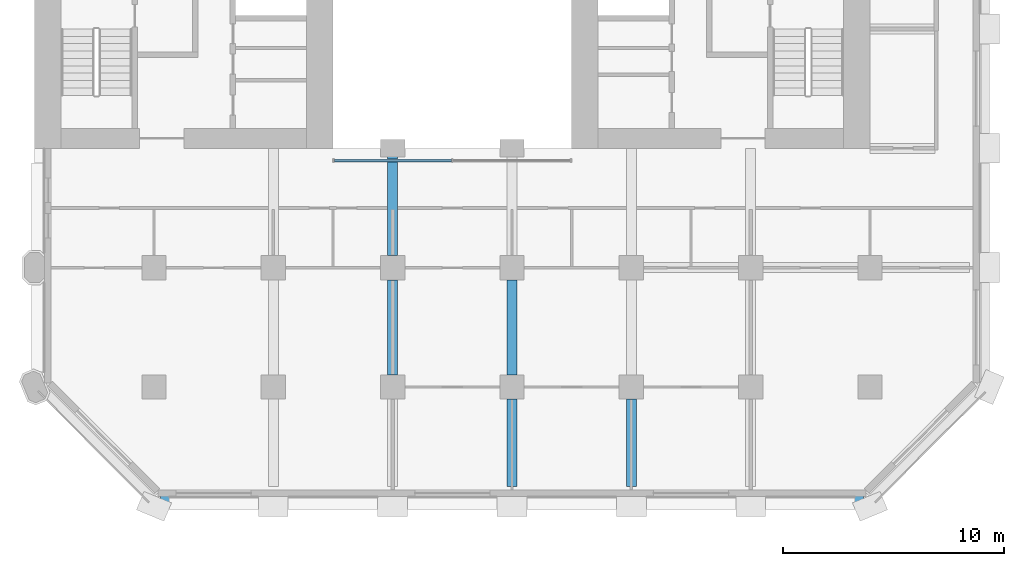
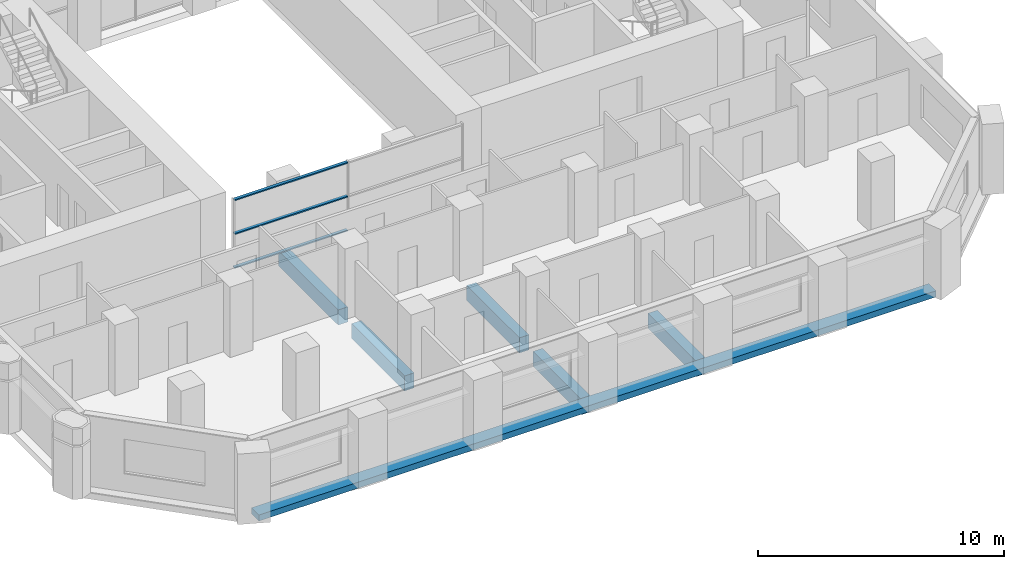
# One storey, part 3 of 13: 6 beams, 3 members, 1 element without a shape of its own.
"""IFC4 building model written with IfcOpenShell, lengths in metres."""

from ifc_helpers import new_model, si_unit, direction, frame, origin, origin_2d, place, context, subcontext, project, spatial, rectangle, extrude, material, material_profile, profile_set, type_object, element, aggregate, save


model = new_model("IFC4")

# Units and contexts
model_context = context("Model", 3, precision=1e-05, world=origin(), true_north=direction((0.0, 1.0)))
body_context = subcontext(model_context, "Body", "Model", "MODEL_VIEW")
ifc_project = project(units=[si_unit("LENGTHUNIT", "METRE"), si_unit("AREAUNIT", "SQUARE_METRE"), si_unit("VOLUMEUNIT", "CUBIC_METRE"), si_unit("PLANEANGLEUNIT", "RADIAN"), si_unit("MASSUNIT", "GRAM", prefix="KILO")], contexts=[model_context])

# Site, building, storey
site_placement = place(None, origin())
site = spatial("IfcSite", under=ifc_project, at=site_placement, CompositionType="ELEMENT")
building_placement = place(site_placement, origin())
building = spatial("IfcBuilding", under=site, at=building_placement, Name="Tabaq Tower and Sports Hall", CompositionType="ELEMENT")
storey_placement = place(building_placement, frame((0.0, 0.0, 41.199951171875)))
storey = spatial("IfcBuildingStorey", under=building, at=storey_placement, Name="L08", CompositionType="ELEMENT", Elevation=41.199951171875)

# Curtain wall, members
ifc_material_1 = material(Name="Aluminium alloy 6063-T6 framed glazing", Category="aluminium")
curtain_wall_type = type_object("IfcCurtainWallType", Name="CW1 curtain wall", PredefinedType="USERDEFINED", material=ifc_material_1)
curtain_wall_placement = place(storey_placement, origin())
curtain_wall = element("IfcCurtainWall", 1, at=curtain_wall_placement, inside=storey, type_object=curtain_wall_type, Name="Atrium glazing L08 S", ObjectType="ATRIUM ENCLOSURE", PredefinedType="USERDEFINED")
ifc_material_2 = material(Name="Aluminium alloy 6063-T6", Category="aluminium")
ifc_material_profile_1 = material_profile(ifc_material_2, rectangle(XDim=0.139892578125, YDim=0.06005859375, at=origin_2d()), Name="TRANSOM 140x60")
ifc_profile_set_1 = profile_set([ifc_material_profile_1], Name="Aluminium alloy 6063-T6")
member_type = type_object("IfcMemberType", Name="CW1 transom 140x60", PredefinedType="USERDEFINED", material=ifc_profile_set_1)
member_1_placement = place(storey_placement, frame((18.9599609375, 15.64990234375, 0.070068359375), z_axis=(1.0, 0.0, 0.0), x_axis=(0.0, 1.0, 0.0)))
member_1 = element("IfcMember", 2, at=member_1_placement, type_object=member_type, Name="CW1 transom 1.1", ObjectType="TRANSOM", PredefinedType="USERDEFINED", context=body_context, shape_type="SweptSolid", body=[
    extrude(rectangle(XDim=0.139892578125, YDim=0.06005859375, at=origin_2d()), origin(), (0.0, 0.0, 1.0), 5.31005859375),
])
member_2_placement = place(storey_placement, frame((18.9599609375, 15.64990234375, 1.75), z_axis=(1.0, 0.0, 0.0), x_axis=(0.0, 1.0, 0.0)))
member_2 = element("IfcMember", 3, at=member_2_placement, type_object=member_type, Name="CW1 transom 1.2", ObjectType="TRANSOM", PredefinedType="USERDEFINED", context=body_context, shape_type="SweptSolid", body=[
    extrude(rectangle(XDim=0.139892578125, YDim=0.06005859375, at=origin_2d()), origin(), (0.0, 0.0, 1.0), 5.31005859375),
])
member_3_placement = place(storey_placement, frame((18.9599609375, 15.64990234375, 3.429931640625), z_axis=(1.0, 0.0, 0.0), x_axis=(0.0, 1.0, 0.0)))
member_3 = element("IfcMember", 4, at=member_3_placement, type_object=member_type, Name="CW1 transom 1.3", ObjectType="TRANSOM", PredefinedType="USERDEFINED", context=body_context, shape_type="SweptSolid", body=[
    extrude(rectangle(XDim=0.139892578125, YDim=0.06005859375, at=origin_2d()), origin(), (0.0, 0.0, 1.0), 5.31005859375),
])
aggregate(curtain_wall, [member_1, member_2, member_3])

# Beams
ifc_material_3 = material(Name="Concrete C40/50", Category="concrete")
ifc_material_profile_2 = material_profile(ifc_material_3, rectangle(XDim=0.449951171875, YDim=0.75, at=origin_2d()), Name="CB 450x750")
ifc_profile_set_2 = profile_set([ifc_material_profile_2], Name="Concrete C40/50")
beam_type_1 = type_object("IfcBeamType", Name="PT CANTILEVER BEAM CB 450x750 C40/50", PredefinedType="BEAM", material=ifc_profile_set_2)
beam_1_placement = place(storey_placement, frame((21.60009765625, 5.949951171875, -0.675048828125), z_axis=(0.0, 1.0, 0.0), x_axis=(-1.0, 0.0, 0.0)))
element("IfcBeam", 5, at=beam_1_placement, inside=storey, type_object=beam_type_1, Name="Cantilever Beam L08 S4 span 2", PredefinedType="BEAM", context=body_context, shape_type="SweptSolid", body=[
    extrude(rectangle(XDim=0.449951171875, YDim=0.75, at=origin_2d()), origin(), (0.0, 0.0, 1.0), 4.300048828125),
])
beam_2_placement = place(storey_placement, frame((21.60009765625, 11.35009765625, -0.675048828125), z_axis=(0.0, 1.0, 0.0), x_axis=(-1.0, 0.0, 0.0)))
element("IfcBeam", 6, at=beam_2_placement, inside=storey, type_object=beam_type_1, Name="Cantilever Beam L08 S4 span 3", PredefinedType="BEAM", context=body_context, shape_type="SweptSolid", body=[
    extrude(rectangle(XDim=0.449951171875, YDim=0.75, at=origin_2d()), origin(), (0.0, 0.0, 1.0), 4.849853515625),
])
beam_3_placement = place(storey_placement, frame((27.0, 0.89990234375, -0.675048828125), z_axis=(0.0, 1.0, 0.0), x_axis=(-1.0, 0.0, 0.0)))
element("IfcBeam", 7, at=beam_3_placement, inside=storey, type_object=beam_type_1, Name="Cantilever Beam L08 S5 span 1", PredefinedType="BEAM", context=body_context, shape_type="SweptSolid", body=[
    extrude(rectangle(XDim=0.449951171875, YDim=0.75, at=origin_2d()), origin(), (0.0, 0.0, 1.0), 3.9501953125),
])
beam_4_placement = place(storey_placement, frame((27.0, 5.949951171875, -0.675048828125), z_axis=(0.0, 1.0, 0.0), x_axis=(-1.0, 0.0, 0.0)))
element("IfcBeam", 8, at=beam_4_placement, inside=storey, type_object=beam_type_1, Name="Cantilever Beam L08 S5 span 2", PredefinedType="BEAM", context=body_context, shape_type="SweptSolid", body=[
    extrude(rectangle(XDim=0.449951171875, YDim=0.75, at=origin_2d()), origin(), (0.0, 0.0, 1.0), 4.300048828125),
])
beam_5_placement = place(storey_placement, frame((32.39990234375, 0.89990234375, -0.675048828125), z_axis=(0.0, 1.0, 0.0), x_axis=(-1.0, 0.0, 0.0)))
element("IfcBeam", 9, at=beam_5_placement, inside=storey, type_object=beam_type_1, Name="Cantilever Beam L08 S6 span 1", PredefinedType="BEAM", context=body_context, shape_type="SweptSolid", body=[
    extrude(rectangle(XDim=0.449951171875, YDim=0.75, at=origin_2d()), origin(), (0.0, 0.0, 1.0), 3.9501953125),
])
ifc_material_4 = material(Name="Concrete C40/50", Category="concrete")
ifc_material_profile_3 = material_profile(ifc_material_4, rectangle(XDim=0.60009765625, YDim=0.300048828125, at=origin_2d()), Name="EB 600x300")
ifc_profile_set_3 = profile_set([ifc_material_profile_3], Name="Concrete C40/50")
beam_type_2 = type_object("IfcBeamType", Name="PT EDGE BEAM EB 600x300 C40/50", PredefinedType="SPANDREL", material=ifc_profile_set_3)
beam_6_placement = place(storey_placement, frame((11.0986328125, 0.300048828125, -0.14990234375), z_axis=(1.0, 0.0, 0.0), x_axis=(0.0, 1.0, 0.0)))
element("IfcBeam", 10, at=beam_6_placement, inside=storey, type_object=beam_type_2, Name="Edge Beam L08 1", PredefinedType="SPANDREL", context=body_context, shape_type="SweptSolid", body=[
    extrude(rectangle(XDim=0.60009765625, YDim=0.300048828125, at=origin_2d()), origin(), (0.0, 0.0, 1.0), 31.802734375),
])

save(model, "model.ifc")
